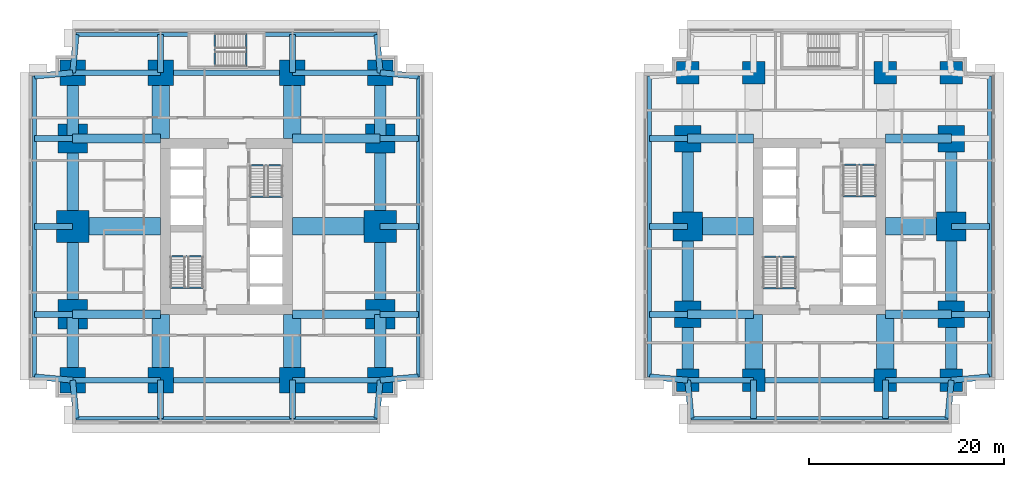
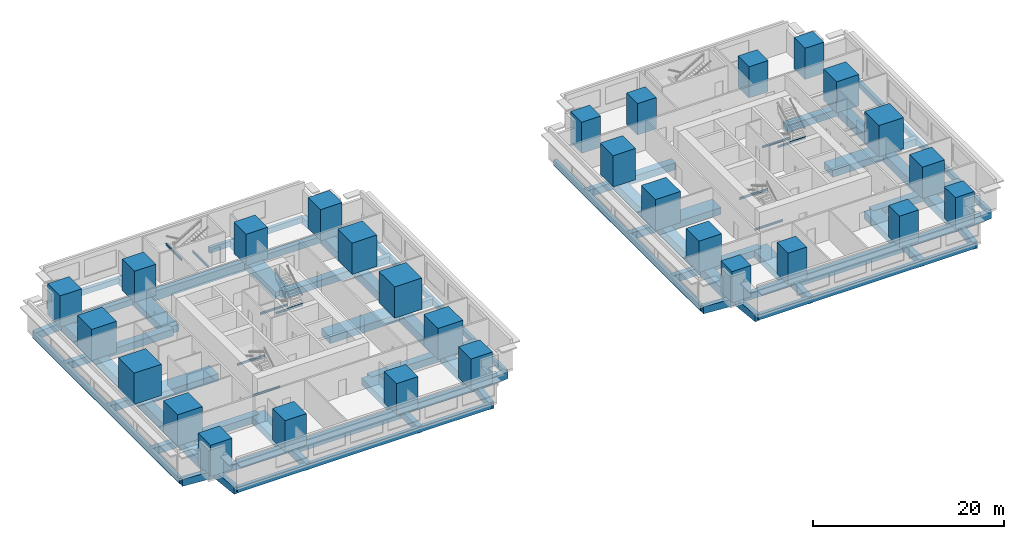
# One storey, part 1 of 11: 88 beams, 28 columns.
"""IFC4 building model written with IfcOpenShell, lengths in metres."""

from ifc_helpers import new_model, si_unit, direction, frame, origin, origin_2d, place, context, subcontext, project, spatial, rectangle, i_section, extrude, material, material_profile, profile_set, type_object, element, save


model = new_model("IFC4")

# Units and contexts
model_context = context("Model", 3, precision=1e-05, world=origin(), true_north=direction((0.0, 1.0)))
body_context = subcontext(model_context, "Body", "Model", "MODEL_VIEW")
ifc_project = project(units=[si_unit("LENGTHUNIT", "METRE"), si_unit("AREAUNIT", "SQUARE_METRE"), si_unit("VOLUMEUNIT", "CUBIC_METRE"), si_unit("PLANEANGLEUNIT", "RADIAN"), si_unit("MASSUNIT", "GRAM", prefix="KILO")], contexts=[model_context])

# Site, building, storey
site_placement = place(None, origin())
site = spatial("IfcSite", under=ifc_project, at=site_placement, CompositionType="ELEMENT")
building_placement = place(site_placement, origin())
building = spatial("IfcBuilding", under=site, at=building_placement, Name="Namib Vertical Campus", CompositionType="ELEMENT")
storey_placement = place(building_placement, frame((0.0, 0.0, 41.0)))
storey = spatial("IfcBuildingStorey", under=building, at=storey_placement, Name="L09", CompositionType="ELEMENT", Elevation=41.0)

# Columns
ifc_material_1 = material(Name="Concrete C60/75", Category="concrete")
ifc_material_profile_1 = material_profile(ifc_material_1, rectangle(XDim=2.300048828125, YDim=2.300048828125, at=origin_2d()))
ifc_profile_set_1 = profile_set([ifc_material_profile_1], Name="Concrete C60/75")
column_type_1 = type_object("IfcColumnType", Name="Column RC 2300x2300", PredefinedType="COLUMN", material=ifc_profile_set_1)
for number, where, z_axis, x_axis, name in (
    (1, (67.5, 4.5, 0.0), (0.0, 0.0, 1.0), (1.0, 0.0, 0.0), "Column C230 L09"),
    (2, (74.25, 4.5, 0.0), (0.0, 0.0, 1.0), (1.0, 0.0, 0.0), "Column C230 L09"),
    (3, (87.75, 4.5, 0.0), (0.0, 0.0, 1.0), (1.0, 0.0, 0.0), "Column C230 L09"),
    (4, (94.5, 4.5, 0.0), (0.0, 0.0, 1.0), (1.0, 0.0, 0.0), "Column C230 L09"),
    (5, (67.5, 36.0, 0.0), (0.0, 0.0, 1.0), (1.0, 0.0, 0.0), "Column C230 L09"),
    (6, (74.25, 36.0, 0.0), (0.0, 0.0, 1.0), (1.0, 0.0, 0.0), "Column C230 L09"),
    (7, (87.75, 36.0, 0.0), (0.0, 0.0, 1.0), (1.0, 0.0, 0.0), "Column C230 L09"),
    (8, (94.5, 36.0, 0.0), (0.0, 0.0, 1.0), (1.0, 0.0, 0.0), "Column C230 L09"),
):
    element("IfcColumn", number, at=place(storey_placement, frame(where, z_axis=z_axis, x_axis=x_axis)), inside=storey, type_object=column_type_1, Name=name, PredefinedType="COLUMN", context=body_context, shape_type="SweptSolid", body=[
        extrude(rectangle(XDim=2.300048828125, YDim=2.300048828125, at=origin_2d()), origin(), (0.0, 0.0, 1.0), 4.0),
    ])
ifc_material_2 = material(Name="Concrete C60/75", Category="concrete")
ifc_material_profile_2 = material_profile(ifc_material_2, rectangle(XDim=2.60009765625, YDim=2.60009765625, at=origin_2d()))
ifc_profile_set_2 = profile_set([ifc_material_profile_2], Name="Concrete C60/75")
column_type_2 = type_object("IfcColumnType", Name="Column RC 2600x2600", PredefinedType="COLUMN", material=ifc_profile_set_2)
for number, where, z_axis, x_axis, name in (
    (9, (4.5, 4.5, 0.0), (0.0, 0.0, 1.0), (1.0, 0.0, 0.0), "Column C260 L09"),
    (10, (13.5, 4.5, 0.0), (0.0, 0.0, 1.0), (1.0, 0.0, 0.0), "Column C260 L09"),
    (11, (27.0, 4.5, 0.0), (0.0, 0.0, 1.0), (1.0, 0.0, 0.0), "Column C260 L09"),
    (12, (36.0, 4.5, 0.0), (0.0, 0.0, 1.0), (1.0, 0.0, 0.0), "Column C260 L09"),
    (13, (4.5, 36.0, 0.0), (0.0, 0.0, 1.0), (1.0, 0.0, 0.0), "Column C260 L09"),
    (14, (13.5, 36.0, 0.0), (0.0, 0.0, 1.0), (1.0, 0.0, 0.0), "Column C260 L09"),
    (15, (27.0, 36.0, 0.0), (0.0, 0.0, 1.0), (1.0, 0.0, 0.0), "Column C260 L09"),
    (16, (36.0, 36.0, 0.0), (0.0, 0.0, 1.0), (1.0, 0.0, 0.0), "Column C260 L09"),
):
    element("IfcColumn", number, at=place(storey_placement, frame(where, z_axis=z_axis, x_axis=x_axis)), inside=storey, type_object=column_type_2, Name=name, PredefinedType="COLUMN", context=body_context, shape_type="SweptSolid", body=[
        extrude(rectangle(XDim=2.60009765625, YDim=2.60009765625, at=origin_2d()), origin(), (0.0, 0.0, 1.0), 4.0),
    ])
ifc_material_3 = material(Name="Concrete C60/75", Category="concrete")
ifc_material_profile_3 = material_profile(ifc_material_3, rectangle(XDim=2.699951171875, YDim=2.699951171875, at=origin_2d()))
ifc_profile_set_3 = profile_set([ifc_material_profile_3], Name="Concrete C60/75")
column_type_3 = type_object("IfcColumnType", Name="Column RC 2700x2700", PredefinedType="COLUMN", material=ifc_profile_set_3)
for number, where, z_axis, x_axis, name in (
    (17, (67.5, 11.25, 0.0), (0.0, 0.0, 1.0), (1.0, 0.0, 0.0), "Column C270 L09"),
    (18, (94.5, 11.25, 0.0), (0.0, 0.0, 1.0), (1.0, 0.0, 0.0), "Column C270 L09"),
    (19, (67.5, 29.25, 0.0), (0.0, 0.0, 1.0), (1.0, 0.0, 0.0), "Column C270 L09"),
    (20, (94.5, 29.25, 0.0), (0.0, 0.0, 1.0), (1.0, 0.0, 0.0), "Column C270 L09"),
):
    element("IfcColumn", number, at=place(storey_placement, frame(where, z_axis=z_axis, x_axis=x_axis)), inside=storey, type_object=column_type_3, Name=name, PredefinedType="COLUMN", context=body_context, shape_type="SweptSolid", body=[
        extrude(rectangle(XDim=2.699951171875, YDim=2.699951171875, at=origin_2d()), origin(), (0.0, 0.0, 1.0), 4.0),
    ])
ifc_material_4 = material(Name="Concrete C60/75", Category="concrete")
ifc_material_profile_4 = material_profile(ifc_material_4, rectangle(XDim=3.0, YDim=3.0, at=origin_2d()))
ifc_profile_set_4 = profile_set([ifc_material_profile_4], Name="Concrete C60/75")
column_type_4 = type_object("IfcColumnType", Name="Column RC 3000x3000", PredefinedType="COLUMN", material=ifc_profile_set_4)
for number, where, z_axis, x_axis, name in (
    (21, (4.5, 11.25, 0.0), (0.0, 0.0, 1.0), (1.0, 0.0, 0.0), "Column C300 L09"),
    (22, (36.0, 11.25, 0.0), (0.0, 0.0, 1.0), (1.0, 0.0, 0.0), "Column C300 L09"),
    (23, (4.5, 29.25, 0.0), (0.0, 0.0, 1.0), (1.0, 0.0, 0.0), "Column C300 L09"),
    (24, (36.0, 29.25, 0.0), (0.0, 0.0, 1.0), (1.0, 0.0, 0.0), "Column C300 L09"),
    (25, (67.5, 20.25, 0.0), (0.0, 0.0, 1.0), (1.0, 0.0, 0.0), "Column C300 L09"),
    (26, (94.5, 20.25, 0.0), (0.0, 0.0, 1.0), (1.0, 0.0, 0.0), "Column C300 L09"),
):
    element("IfcColumn", number, at=place(storey_placement, frame(where, z_axis=z_axis, x_axis=x_axis)), inside=storey, type_object=column_type_4, Name=name, PredefinedType="COLUMN", context=body_context, shape_type="SweptSolid", body=[
        extrude(rectangle(XDim=3.0, YDim=3.0, at=origin_2d()), origin(), (0.0, 0.0, 1.0), 4.0),
    ])
ifc_material_5 = material(Name="Concrete C60/75", Category="concrete")
ifc_material_profile_5 = material_profile(ifc_material_5, rectangle(XDim=3.300048828125, YDim=3.300048828125, at=origin_2d()))
ifc_profile_set_5 = profile_set([ifc_material_profile_5], Name="Concrete C60/75")
column_type_5 = type_object("IfcColumnType", Name="Column RC 3300x3300", PredefinedType="COLUMN", material=ifc_profile_set_5)
for number, where, z_axis, x_axis, name in (
    (27, (4.5, 20.25, 0.0), (0.0, 0.0, 1.0), (1.0, 0.0, 0.0), "Column C330 L09"),
    (28, (36.0, 20.25, 0.0), (0.0, 0.0, 1.0), (1.0, 0.0, 0.0), "Column C330 L09"),
):
    element("IfcColumn", number, at=place(storey_placement, frame(where, z_axis=z_axis, x_axis=x_axis)), inside=storey, type_object=column_type_5, Name=name, PredefinedType="COLUMN", context=body_context, shape_type="SweptSolid", body=[
        extrude(rectangle(XDim=3.300048828125, YDim=3.300048828125, at=origin_2d()), origin(), (0.0, 0.0, 1.0), 4.0),
    ])

# Beams
ifc_material_6 = material(Name="Concrete C40/50", Category="concrete")
ifc_material_profile_6 = material_profile(ifc_material_6, rectangle(XDim=0.60009765625, YDim=0.89990234375, at=origin_2d()))
ifc_profile_set_6 = profile_set([ifc_material_profile_6], Name="Concrete C40/50")
beam_type_1 = type_object("IfcBeamType", Name="Cantilever girder RC 600x900", PredefinedType="BEAM", material=ifc_profile_set_6)
beam_1_placement = place(storey_placement, frame((4.5, 4.5, -0.699951171875), z_axis=(0.089411326146, -0.995994786511, 0.0), x_axis=(0.995994786511, 0.089411326146, 0.0)))
element("IfcBeam", 29, at=beam_1_placement, inside=storey, type_object=beam_type_1, Name="Beam B3 L09", PredefinedType="BEAM", context=body_context, shape_type="SweptSolid", body=[
    extrude(rectangle(XDim=0.60009765625, YDim=0.89990234375, at=origin_2d()), origin(), (0.0, 0.0, 1.0), 3.91552734375),
])
for number, where, z_axis, x_axis, name in (
    (30, (13.5, 4.5, -0.699951171875), (0.0, -1.0, 0.0), (1.0, 0.0, 0.0), "Beam B3 L09"),
    (31, (27.0, 4.5, -0.699951171875), (0.0, -1.0, 0.0), (1.0, 0.0, 0.0), "Beam B3 L09"),
):
    element("IfcBeam", number, at=place(storey_placement, frame(where, z_axis=z_axis, x_axis=x_axis)), inside=storey, type_object=beam_type_1, Name=name, PredefinedType="BEAM", context=body_context, shape_type="SweptSolid", body=[
        extrude(rectangle(XDim=0.60009765625, YDim=0.89990234375, at=origin_2d()), origin(), (0.0, 0.0, 1.0), 3.89990234375),
    ])
for number, where, z_axis, x_axis, name in (
    (32, (36.0, 4.5, -0.699951171875), (-0.089411326146, -0.995994786511, 0.0), (0.995994786511, -0.089411326146, 0.0), "Beam B3 L09"),
    (33, (4.5, 36.0, -0.699951171875), (0.089411326146, 0.995994786511, 0.0), (-0.995994786511, 0.089411326146, 0.0), "Beam B3 L09"),
):
    element("IfcBeam", number, at=place(storey_placement, frame(where, z_axis=z_axis, x_axis=x_axis)), inside=storey, type_object=beam_type_1, Name=name, PredefinedType="BEAM", context=body_context, shape_type="SweptSolid", body=[
        extrude(rectangle(XDim=0.60009765625, YDim=0.89990234375, at=origin_2d()), origin(), (0.0, 0.0, 1.0), 3.91552734375),
    ])
for number, where, z_axis, x_axis, name in (
    (34, (13.5, 36.0, -0.699951171875), (0.0, 1.0, 0.0), (-1.0, 0.0, 0.0), "Beam B3 L09"),
    (35, (27.0, 36.0, -0.699951171875), (0.0, 1.0, 0.0), (-1.0, 0.0, 0.0), "Beam B3 L09"),
):
    element("IfcBeam", number, at=place(storey_placement, frame(where, z_axis=z_axis, x_axis=x_axis)), inside=storey, type_object=beam_type_1, Name=name, PredefinedType="BEAM", context=body_context, shape_type="SweptSolid", body=[
        extrude(rectangle(XDim=0.60009765625, YDim=0.89990234375, at=origin_2d()), origin(), (0.0, 0.0, 1.0), 3.89990234375),
    ])
for number, where, z_axis, x_axis, name in (
    (36, (36.0, 36.0, -0.699951171875), (-0.089411326146, 0.995994786511, 0.0), (-0.995994786511, -0.089411326146, 0.0), "Beam B3 L09"),
    (37, (4.5, 4.5, -0.699951171875), (-0.995994786511, 0.089411326146, 0.0), (-0.089411326146, -0.995994786511, 0.0), "Beam B3 L09"),
):
    element("IfcBeam", number, at=place(storey_placement, frame(where, z_axis=z_axis, x_axis=x_axis)), inside=storey, type_object=beam_type_1, Name=name, PredefinedType="BEAM", context=body_context, shape_type="SweptSolid", body=[
        extrude(rectangle(XDim=0.60009765625, YDim=0.89990234375, at=origin_2d()), origin(), (0.0, 0.0, 1.0), 3.91552734375),
    ])
for number, where, z_axis, x_axis, name in (
    (38, (4.5, 11.25, -0.699951171875), (-1.0, 0.0, 0.0), (0.0, -1.0, 0.0), "Beam B3 L09"),
    (39, (4.5, 20.25, -0.699951171875), (-1.0, 0.0, 0.0), (0.0, -1.0, 0.0), "Beam B3 L09"),
    (40, (4.5, 29.25, -0.699951171875), (-1.0, 0.0, 0.0), (0.0, -1.0, 0.0), "Beam B3 L09"),
):
    element("IfcBeam", number, at=place(storey_placement, frame(where, z_axis=z_axis, x_axis=x_axis)), inside=storey, type_object=beam_type_1, Name=name, PredefinedType="BEAM", context=body_context, shape_type="SweptSolid", body=[
        extrude(rectangle(XDim=0.60009765625, YDim=0.89990234375, at=origin_2d()), origin(), (0.0, 0.0, 1.0), 3.89990234375),
    ])
for number, where, z_axis, x_axis, name in (
    (41, (4.5, 36.0, -0.699951171875), (-0.995994786511, -0.089411326146, 0.0), (0.089411326146, -0.995994786511, 0.0), "Beam B3 L09"),
    (42, (36.0, 4.5, -0.699951171875), (0.995994786511, 0.089411326146, 0.0), (-0.089411326146, 0.995994786511, 0.0), "Beam B3 L09"),
):
    element("IfcBeam", number, at=place(storey_placement, frame(where, z_axis=z_axis, x_axis=x_axis)), inside=storey, type_object=beam_type_1, Name=name, PredefinedType="BEAM", context=body_context, shape_type="SweptSolid", body=[
        extrude(rectangle(XDim=0.60009765625, YDim=0.89990234375, at=origin_2d()), origin(), (0.0, 0.0, 1.0), 3.91552734375),
    ])
for number, where, z_axis, x_axis, name in (
    (43, (36.0, 11.25, -0.699951171875), (1.0, 0.0, 0.0), (0.0, 1.0, 0.0), "Beam B3 L09"),
    (44, (36.0, 20.25, -0.699951171875), (1.0, 0.0, 0.0), (0.0, 1.0, 0.0), "Beam B3 L09"),
    (45, (36.0, 29.25, -0.699951171875), (1.0, 0.0, 0.0), (0.0, 1.0, 0.0), "Beam B3 L09"),
):
    element("IfcBeam", number, at=place(storey_placement, frame(where, z_axis=z_axis, x_axis=x_axis)), inside=storey, type_object=beam_type_1, Name=name, PredefinedType="BEAM", context=body_context, shape_type="SweptSolid", body=[
        extrude(rectangle(XDim=0.60009765625, YDim=0.89990234375, at=origin_2d()), origin(), (0.0, 0.0, 1.0), 3.89990234375),
    ])
for number, where, z_axis, x_axis, name in (
    (46, (36.0, 36.0, -0.699951171875), (0.995994786511, -0.089411326146, 0.0), (0.089411326146, 0.995994786511, 0.0), "Beam B3 L09"),
    (47, (67.5, 4.5, -0.699951171875), (0.089411326146, -0.995994786511, 0.0), (0.995994786511, 0.089411326146, 0.0), "Beam B3 L09"),
):
    element("IfcBeam", number, at=place(storey_placement, frame(where, z_axis=z_axis, x_axis=x_axis)), inside=storey, type_object=beam_type_1, Name=name, PredefinedType="BEAM", context=body_context, shape_type="SweptSolid", body=[
        extrude(rectangle(XDim=0.60009765625, YDim=0.89990234375, at=origin_2d()), origin(), (0.0, 0.0, 1.0), 3.91552734375),
    ])
for number, where, z_axis, x_axis, name in (
    (48, (74.25, 4.5, -0.699951171875), (0.0, -1.0, 0.0), (1.0, 0.0, 0.0), "Beam B3 L09"),
    (49, (87.75, 4.5, -0.699951171875), (0.0, -1.0, 0.0), (1.0, 0.0, 0.0), "Beam B3 L09"),
):
    element("IfcBeam", number, at=place(storey_placement, frame(where, z_axis=z_axis, x_axis=x_axis)), inside=storey, type_object=beam_type_1, Name=name, PredefinedType="BEAM", context=body_context, shape_type="SweptSolid", body=[
        extrude(rectangle(XDim=0.60009765625, YDim=0.89990234375, at=origin_2d()), origin(), (0.0, 0.0, 1.0), 3.89990234375),
    ])
for number, where, z_axis, x_axis, name in (
    (50, (94.5, 4.5, -0.699951171875), (-0.089411326146, -0.995994786511, 0.0), (0.995994786511, -0.089411326146, 0.0), "Beam B3 L09"),
    (51, (67.5, 4.5, -0.699951171875), (-0.995994786511, 0.089411326146, 0.0), (-0.089411326146, -0.995994786511, 0.0), "Beam B3 L09"),
):
    element("IfcBeam", number, at=place(storey_placement, frame(where, z_axis=z_axis, x_axis=x_axis)), inside=storey, type_object=beam_type_1, Name=name, PredefinedType="BEAM", context=body_context, shape_type="SweptSolid", body=[
        extrude(rectangle(XDim=0.60009765625, YDim=0.89990234375, at=origin_2d()), origin(), (0.0, 0.0, 1.0), 3.91552734375),
    ])
for number, where, z_axis, x_axis, name in (
    (52, (67.5, 11.25, -0.699951171875), (-1.0, 0.0, 0.0), (0.0, -1.0, 0.0), "Beam B3 L09"),
    (53, (67.5, 20.25, -0.699951171875), (-1.0, 0.0, 0.0), (0.0, -1.0, 0.0), "Beam B3 L09"),
    (54, (67.5, 29.25, -0.699951171875), (-1.0, 0.0, 0.0), (0.0, -1.0, 0.0), "Beam B3 L09"),
):
    element("IfcBeam", number, at=place(storey_placement, frame(where, z_axis=z_axis, x_axis=x_axis)), inside=storey, type_object=beam_type_1, Name=name, PredefinedType="BEAM", context=body_context, shape_type="SweptSolid", body=[
        extrude(rectangle(XDim=0.60009765625, YDim=0.89990234375, at=origin_2d()), origin(), (0.0, 0.0, 1.0), 3.89990234375),
    ])
beam_2_placement = place(storey_placement, frame((94.5, 4.5, -0.699951171875), z_axis=(0.995994786511, 0.089411326146, 0.0), x_axis=(-0.089411326146, 0.995994786511, 0.0)))
element("IfcBeam", 55, at=beam_2_placement, inside=storey, type_object=beam_type_1, Name="Beam B3 L09", PredefinedType="BEAM", context=body_context, shape_type="SweptSolid", body=[
    extrude(rectangle(XDim=0.60009765625, YDim=0.89990234375, at=origin_2d()), origin(), (0.0, 0.0, 1.0), 3.91552734375),
])
for number, where, z_axis, x_axis, name in (
    (56, (94.5, 11.25, -0.699951171875), (1.0, 0.0, 0.0), (0.0, 1.0, 0.0), "Beam B3 L09"),
    (57, (94.5, 20.25, -0.699951171875), (1.0, 0.0, 0.0), (0.0, 1.0, 0.0), "Beam B3 L09"),
):
    element("IfcBeam", number, at=place(storey_placement, frame(where, z_axis=z_axis, x_axis=x_axis)), inside=storey, type_object=beam_type_1, Name=name, PredefinedType="BEAM", context=body_context, shape_type="SweptSolid", body=[
        extrude(rectangle(XDim=0.60009765625, YDim=0.89990234375, at=origin_2d()), origin(), (0.0, 0.0, 1.0), 3.89990234375),
    ])
ifc_material_7 = material(Name="Concrete C40/50", Category="concrete")
ifc_material_profile_7 = material_profile(ifc_material_7, rectangle(XDim=0.39990234375, YDim=0.699951171875, at=origin_2d()))
ifc_profile_set_7 = profile_set([ifc_material_profile_7], Name="Concrete C40/50")
beam_type_2 = type_object("IfcBeamType", Name="Edge beam RC 400x700", PredefinedType="SPANDREL", material=ifc_profile_set_7)
beam_3_placement = place(storey_placement, frame((4.85009765625, 0.60009765625, -0.60009765625), z_axis=(1.0, 0.0, 0.0), x_axis=(0.0, 1.0, 0.0)))
element("IfcBeam", 58, at=beam_3_placement, inside=storey, type_object=beam_type_2, Name="Beam B4 L09", PredefinedType="SPANDREL", context=body_context, shape_type="SweptSolid", body=[
    extrude(rectangle(XDim=0.39990234375, YDim=0.699951171875, at=origin_2d()), origin(), (0.0, 0.0, 1.0), 30.7998046875),
])
for number, where, z_axis, x_axis, name in (
    (59, (4.85009765625, 39.89990234375, -0.60009765625), (1.0, 0.0, 0.0), (0.0, 1.0, 0.0), "Beam B4 L09"),
    (60, (24.199951171875, 39.89990234375, -0.60009765625), (1.0, 0.0, 0.0), (0.0, 1.0, 0.0), "Beam B4 L09"),
):
    element("IfcBeam", number, at=place(storey_placement, frame(where, z_axis=z_axis, x_axis=x_axis)), inside=storey, type_object=beam_type_2, Name=name, PredefinedType="SPANDREL", context=body_context, shape_type="SweptSolid", body=[
        extrude(rectangle(XDim=0.39990234375, YDim=0.699951171875, at=origin_2d()), origin(), (0.0, 0.0, 1.0), 11.449951171875),
    ])
for number, where, z_axis, x_axis, name in (
    (61, (0.60009765625, 4.85009765625, -0.60009765625), (0.0, 1.0, 0.0), (-1.0, 0.0, 0.0), "Beam B4 L09"),
    (62, (39.89990234375, 4.85009765625, -0.60009765625), (0.0, 1.0, 0.0), (-1.0, 0.0, 0.0), "Beam B4 L09"),
):
    element("IfcBeam", number, at=place(storey_placement, frame(where, z_axis=z_axis, x_axis=x_axis)), inside=storey, type_object=beam_type_2, Name=name, PredefinedType="SPANDREL", context=body_context, shape_type="SweptSolid", body=[
        extrude(rectangle(XDim=0.39990234375, YDim=0.699951171875, at=origin_2d()), origin(), (0.0, 0.0, 1.0), 30.7998046875),
    ])
beam_4_placement = place(storey_placement, frame((67.85009765625, 0.60009765625, -0.60009765625), z_axis=(1.0, 0.0, 0.0), x_axis=(0.0, 1.0, 0.0)))
element("IfcBeam", 63, at=beam_4_placement, inside=storey, type_object=beam_type_2, Name="Beam B4 L09", PredefinedType="SPANDREL", context=body_context, shape_type="SweptSolid", body=[
    extrude(rectangle(XDim=0.39990234375, YDim=0.699951171875, at=origin_2d()), origin(), (0.0, 0.0, 1.0), 26.2998046875),
])
for number, where, z_axis, x_axis, name in (
    (64, (63.60009765625, 4.85009765625, -0.60009765625), (0.0, 1.0, 0.0), (-1.0, 0.0, 0.0), "Beam B4 L09"),
    (65, (98.39990234375, 4.85009765625, -0.60009765625), (0.0, 1.0, 0.0), (-1.0, 0.0, 0.0), "Beam B4 L09"),
):
    element("IfcBeam", number, at=place(storey_placement, frame(where, z_axis=z_axis, x_axis=x_axis)), inside=storey, type_object=beam_type_2, Name=name, PredefinedType="SPANDREL", context=body_context, shape_type="SweptSolid", body=[
        extrude(rectangle(XDim=0.39990234375, YDim=0.699951171875, at=origin_2d()), origin(), (0.0, 0.0, 1.0), 30.7998046875),
    ])
ifc_material_8 = material(Name="Concrete C40/50", Category="concrete")
ifc_material_profile_8 = material_profile(ifc_material_8, rectangle(XDim=0.89990234375, YDim=0.89990234375, at=origin_2d()))
ifc_profile_set_8 = profile_set([ifc_material_profile_8], Name="Concrete C40/50")
beam_type_3 = type_object("IfcBeamType", Name="Face girder RC 900x900", PredefinedType="BEAM", material=ifc_profile_set_8)
for number, where, z_axis, x_axis, name in (
    (66, (4.5, 11.25, -0.699951171875), (1.0, 0.0, 0.0), (0.0, 1.0, 0.0), "Beam B10 L09"),
    (67, (36.0, 11.25, -0.699951171875), (-1.0, 0.0, 0.0), (0.0, -1.0, 0.0), "Beam B10 L09"),
    (68, (4.5, 29.25, -0.699951171875), (1.0, 0.0, 0.0), (0.0, 1.0, 0.0), "Beam B10 L09"),
    (69, (36.0, 29.25, -0.699951171875), (-1.0, 0.0, 0.0), (0.0, -1.0, 0.0), "Beam B10 L09"),
):
    element("IfcBeam", number, at=place(storey_placement, frame(where, z_axis=z_axis, x_axis=x_axis)), inside=storey, type_object=beam_type_3, Name=name, PredefinedType="BEAM", context=body_context, shape_type="SweptSolid", body=[
        extrude(rectangle(XDim=0.89990234375, YDim=0.89990234375, at=origin_2d()), origin(), (0.0, 0.0, 1.0), 9.0),
    ])
for number, where, z_axis, x_axis, name in (
    (70, (67.5, 11.25, -0.699951171875), (1.0, 0.0, 0.0), (0.0, 1.0, 0.0), "Beam B10 L09"),
    (71, (94.5, 11.25, -0.699951171875), (-1.0, 0.0, 0.0), (0.0, -1.0, 0.0), "Beam B10 L09"),
    (72, (67.5, 29.25, -0.699951171875), (1.0, 0.0, 0.0), (0.0, 1.0, 0.0), "Beam B10 L09"),
    (73, (94.5, 29.25, -0.699951171875), (-1.0, 0.0, 0.0), (0.0, -1.0, 0.0), "Beam B10 L09"),
):
    element("IfcBeam", number, at=place(storey_placement, frame(where, z_axis=z_axis, x_axis=x_axis)), inside=storey, type_object=beam_type_3, Name=name, PredefinedType="BEAM", context=body_context, shape_type="SweptSolid", body=[
        extrude(rectangle(XDim=0.89990234375, YDim=0.89990234375, at=origin_2d()), origin(), (0.0, 0.0, 1.0), 6.75),
    ])
ifc_material_9 = material(Name="Concrete C40/50", Category="concrete")
ifc_material_profile_9 = material_profile(ifc_material_9, rectangle(XDim=1.199951171875, YDim=1.10009765625, at=origin_2d()))
ifc_profile_set_9 = profile_set([ifc_material_profile_9], Name="Concrete C40/50")
beam_type_4 = type_object("IfcBeamType", Name="Face ring beam RC 1200x1100", PredefinedType="BEAM", material=ifc_profile_set_9)
beam_5_placement = place(storey_placement, frame((4.5, 4.5, -0.800048828125), z_axis=(0.0, 1.0, 0.0), x_axis=(-1.0, 0.0, 0.0)))
element("IfcBeam", 74, at=beam_5_placement, inside=storey, type_object=beam_type_4, Name="Beam B11 L09", PredefinedType="BEAM", context=body_context, shape_type="SweptSolid", body=[
    extrude(rectangle(XDim=1.199951171875, YDim=1.10009765625, at=origin_2d()), origin(), (0.0, 0.0, 1.0), 6.75),
])
for number, where, z_axis, x_axis, name in (
    (75, (4.5, 11.25, -0.800048828125), (0.0, 1.0, 0.0), (-1.0, 0.0, 0.0), "Beam B11 L09"),
    (76, (4.5, 20.25, -0.800048828125), (0.0, 1.0, 0.0), (-1.0, 0.0, 0.0), "Beam B11 L09"),
):
    element("IfcBeam", number, at=place(storey_placement, frame(where, z_axis=z_axis, x_axis=x_axis)), inside=storey, type_object=beam_type_4, Name=name, PredefinedType="BEAM", context=body_context, shape_type="SweptSolid", body=[
        extrude(rectangle(XDim=1.199951171875, YDim=1.10009765625, at=origin_2d()), origin(), (0.0, 0.0, 1.0), 9.0),
    ])
for number, where, z_axis, x_axis, name in (
    (77, (4.5, 29.25, -0.800048828125), (0.0, 1.0, 0.0), (-1.0, 0.0, 0.0), "Beam B11 L09"),
    (78, (36.0, 4.5, -0.800048828125), (0.0, 1.0, 0.0), (-1.0, 0.0, 0.0), "Beam B11 L09"),
):
    element("IfcBeam", number, at=place(storey_placement, frame(where, z_axis=z_axis, x_axis=x_axis)), inside=storey, type_object=beam_type_4, Name=name, PredefinedType="BEAM", context=body_context, shape_type="SweptSolid", body=[
        extrude(rectangle(XDim=1.199951171875, YDim=1.10009765625, at=origin_2d()), origin(), (0.0, 0.0, 1.0), 6.75),
    ])
for number, where, z_axis, x_axis, name in (
    (79, (36.0, 11.25, -0.800048828125), (0.0, 1.0, 0.0), (-1.0, 0.0, 0.0), "Beam B11 L09"),
    (80, (36.0, 20.25, -0.800048828125), (0.0, 1.0, 0.0), (-1.0, 0.0, 0.0), "Beam B11 L09"),
):
    element("IfcBeam", number, at=place(storey_placement, frame(where, z_axis=z_axis, x_axis=x_axis)), inside=storey, type_object=beam_type_4, Name=name, PredefinedType="BEAM", context=body_context, shape_type="SweptSolid", body=[
        extrude(rectangle(XDim=1.199951171875, YDim=1.10009765625, at=origin_2d()), origin(), (0.0, 0.0, 1.0), 9.0),
    ])
for number, where, z_axis, x_axis, name in (
    (81, (36.0, 29.25, -0.800048828125), (0.0, 1.0, 0.0), (-1.0, 0.0, 0.0), "Beam B11 L09"),
    (82, (67.5, 4.5, -0.800048828125), (0.0, 1.0, 0.0), (-1.0, 0.0, 0.0), "Beam B11 L09"),
):
    element("IfcBeam", number, at=place(storey_placement, frame(where, z_axis=z_axis, x_axis=x_axis)), inside=storey, type_object=beam_type_4, Name=name, PredefinedType="BEAM", context=body_context, shape_type="SweptSolid", body=[
        extrude(rectangle(XDim=1.199951171875, YDim=1.10009765625, at=origin_2d()), origin(), (0.0, 0.0, 1.0), 6.75),
    ])
for number, where, z_axis, x_axis, name in (
    (83, (67.5, 11.25, -0.800048828125), (0.0, 1.0, 0.0), (-1.0, 0.0, 0.0), "Beam B11 L09"),
    (84, (67.5, 20.25, -0.800048828125), (0.0, 1.0, 0.0), (-1.0, 0.0, 0.0), "Beam B11 L09"),
):
    element("IfcBeam", number, at=place(storey_placement, frame(where, z_axis=z_axis, x_axis=x_axis)), inside=storey, type_object=beam_type_4, Name=name, PredefinedType="BEAM", context=body_context, shape_type="SweptSolid", body=[
        extrude(rectangle(XDim=1.199951171875, YDim=1.10009765625, at=origin_2d()), origin(), (0.0, 0.0, 1.0), 9.0),
    ])
beam_6_placement = place(storey_placement, frame((94.5, 4.5, -0.800048828125), z_axis=(0.0, 1.0, 0.0), x_axis=(-1.0, 0.0, 0.0)))
element("IfcBeam", 85, at=beam_6_placement, inside=storey, type_object=beam_type_4, Name="Beam B11 L09", PredefinedType="BEAM", context=body_context, shape_type="SweptSolid", body=[
    extrude(rectangle(XDim=1.199951171875, YDim=1.10009765625, at=origin_2d()), origin(), (0.0, 0.0, 1.0), 6.75),
])
for number, where, z_axis, x_axis, name in (
    (86, (94.5, 11.25, -0.800048828125), (0.0, 1.0, 0.0), (-1.0, 0.0, 0.0), "Beam B11 L09"),
    (87, (94.5, 20.25, -0.800048828125), (0.0, 1.0, 0.0), (-1.0, 0.0, 0.0), "Beam B11 L09"),
):
    element("IfcBeam", number, at=place(storey_placement, frame(where, z_axis=z_axis, x_axis=x_axis)), inside=storey, type_object=beam_type_4, Name=name, PredefinedType="BEAM", context=body_context, shape_type="SweptSolid", body=[
        extrude(rectangle(XDim=1.199951171875, YDim=1.10009765625, at=origin_2d()), origin(), (0.0, 0.0, 1.0), 9.0),
    ])
ifc_material_10 = material(Name="Steel S355JR", Category="steel")
ifc_material_profile_10 = material_profile(ifc_material_10, i_section(OverallWidth=0.14599609375, OverallDepth=0.25146484375, WebThickness=0.006103515625, FlangeThickness=0.008544921875, FilletRadius=0.007568359375, at=origin_2d()))
ifc_profile_set_10 = profile_set([ifc_material_profile_10], Name="Steel S355JR")
beam_type_5 = type_object("IfcBeamType", Name="Landing trimmer UB 254x146x31", PredefinedType="BEAM", material=ifc_profile_set_10)
for number, where, z_axis, x_axis, name in (
    (88, (14.5, 13.97705078125, -0.125732421875), (1.0, 0.0, 0.0), (0.0, 1.0, 0.0), "Landing trimmer LT1 A-S1 L09 1"),
    (89, (14.5, 17.203125, 1.874267578125), (1.0, 0.0, 0.0), (0.0, 1.0, 0.0), "Landing trimmer LT1 A-S1 L09 2"),
    (90, (22.64990234375, 26.52294921875, -0.125732421875), (1.0, 0.0, 0.0), (0.0, 1.0, 0.0), "Landing trimmer LT1 A-S2 L09 1"),
    (91, (22.64990234375, 23.296875, 1.874267578125), (1.0, 0.0, 0.0), (0.0, 1.0, 0.0), "Landing trimmer LT1 A-S2 L09 2"),
):
    element("IfcBeam", number, at=place(storey_placement, frame(where, z_axis=z_axis, x_axis=x_axis)), inside=storey, type_object=beam_type_5, Name=name, PredefinedType="BEAM", context=body_context, shape_type="SweptSolid", body=[
        extrude(i_section(OverallWidth=0.14599609375, OverallDepth=0.25146484375, WebThickness=0.006103515625, FlangeThickness=0.008544921875, FilletRadius=0.007568359375, at=origin_2d()), origin(), (0.0, 0.0, 1.0), 3.35009765625),
    ])
for number, where, z_axis, x_axis, name in (
    (92, (75.199951171875, 13.927001953125, -0.125732421875), (1.0, 0.0, 0.0), (0.0, 1.0, 0.0), "Landing trimmer LT1 B-S1 L09 1"),
    (93, (75.199951171875, 17.153076171875, 1.874267578125), (1.0, 0.0, 0.0), (0.0, 1.0, 0.0), "Landing trimmer LT1 B-S1 L09 2"),
    (94, (83.39990234375, 26.572998046875, -0.125732421875), (1.0, 0.0, 0.0), (0.0, 1.0, 0.0), "Landing trimmer LT1 B-S2 L09 1"),
    (95, (83.39990234375, 23.346923828125, 1.874267578125), (1.0, 0.0, 0.0), (0.0, 1.0, 0.0), "Landing trimmer LT1 B-S2 L09 2"),
):
    element("IfcBeam", number, at=place(storey_placement, frame(where, z_axis=z_axis, x_axis=x_axis)), inside=storey, type_object=beam_type_5, Name=name, PredefinedType="BEAM", context=body_context, shape_type="SweptSolid", body=[
        extrude(i_section(OverallWidth=0.14599609375, OverallDepth=0.25146484375, WebThickness=0.006103515625, FlangeThickness=0.008544921875, FilletRadius=0.007568359375, at=origin_2d()), origin(), (0.0, 0.0, 1.0), 3.400146484375),
    ])
for number, where, z_axis, x_axis, name in (
    (96, (22.27294921875, 36.64990234375, -0.125732421875), (0.0, 1.0, 0.0), (-1.0, 0.0, 0.0), "Landing trimmer LT1 A-S3 L09 1"),
    (97, (19.046875, 36.64990234375, 1.874267578125), (0.0, 1.0, 0.0), (-1.0, 0.0, 0.0), "Landing trimmer LT1 A-S3 L09 2"),
):
    element("IfcBeam", number, at=place(storey_placement, frame(where, z_axis=z_axis, x_axis=x_axis)), inside=storey, type_object=beam_type_5, Name=name, PredefinedType="BEAM", context=body_context, shape_type="SweptSolid", body=[
        extrude(i_section(OverallWidth=0.14599609375, OverallDepth=0.25146484375, WebThickness=0.006103515625, FlangeThickness=0.008544921875, FilletRadius=0.007568359375, at=origin_2d()), origin(), (0.0, 0.0, 1.0), 3.35009765625),
    ])
ifc_material_11 = material(Name="Concrete C40/50", Category="concrete")
ifc_material_profile_11 = material_profile(ifc_material_11, rectangle(XDim=0.60009765625, YDim=1.199951171875, at=origin_2d()))
ifc_profile_set_11 = profile_set([ifc_material_profile_11], Name="Concrete C40/50")
beam_type_6 = type_object("IfcBeamType", Name="Long-span ring beam RC 600x1200", PredefinedType="BEAM", material=ifc_profile_set_11)
for number, where, z_axis, x_axis, name in (
    (98, (13.5, 4.5, -0.85009765625), (1.0, 0.0, 0.0), (0.0, 1.0, 0.0), "Beam B9 L09"),
    (99, (13.5, 36.0, -0.85009765625), (1.0, 0.0, 0.0), (0.0, 1.0, 0.0), "Beam B9 L09"),
    (100, (74.25, 4.5, -0.85009765625), (1.0, 0.0, 0.0), (0.0, 1.0, 0.0), "Beam B9 L09"),
):
    element("IfcBeam", number, at=place(storey_placement, frame(where, z_axis=z_axis, x_axis=x_axis)), inside=storey, type_object=beam_type_6, Name=name, PredefinedType="BEAM", context=body_context, shape_type="SweptSolid", body=[
        extrude(rectangle(XDim=0.60009765625, YDim=1.199951171875, at=origin_2d()), origin(), (0.0, 0.0, 1.0), 13.5),
    ])
ifc_material_12 = material(Name="Concrete C40/50", Category="concrete")
ifc_material_profile_12 = material_profile(ifc_material_12, rectangle(XDim=1.800048828125, YDim=0.89990234375, at=origin_2d()))
ifc_profile_set_12 = profile_set([ifc_material_profile_12], Name="Concrete C40/50")
beam_type_7 = type_object("IfcBeamType", Name="Outrigger line girder RC 1800x900", PredefinedType="BEAM", material=ifc_profile_set_12)
for number, where, z_axis, x_axis, name in (
    (101, (13.5, 4.5, -0.699951171875), (0.0, 1.0, 0.0), (-1.0, 0.0, 0.0), "Beam B12 L09"),
    (102, (13.5, 36.0, -0.699951171875), (0.0, -1.0, 0.0), (1.0, 0.0, 0.0), "Beam B12 L09"),
    (103, (27.0, 4.5, -0.699951171875), (0.0, 1.0, 0.0), (-1.0, 0.0, 0.0), "Beam B12 L09"),
    (104, (27.0, 36.0, -0.699951171875), (0.0, -1.0, 0.0), (1.0, 0.0, 0.0), "Beam B12 L09"),
):
    element("IfcBeam", number, at=place(storey_placement, frame(where, z_axis=z_axis, x_axis=x_axis)), inside=storey, type_object=beam_type_7, Name=name, PredefinedType="BEAM", context=body_context, shape_type="SweptSolid", body=[
        extrude(rectangle(XDim=1.800048828125, YDim=0.89990234375, at=origin_2d()), origin(), (0.0, 0.0, 1.0), 6.75),
    ])
for number, where, z_axis, x_axis, name in (
    (105, (4.5, 20.25, -0.699951171875), (1.0, 0.0, 0.0), (0.0, 1.0, 0.0), "Beam B12 L09"),
    (106, (36.0, 20.25, -0.699951171875), (-1.0, 0.0, 0.0), (0.0, -1.0, 0.0), "Beam B12 L09"),
):
    element("IfcBeam", number, at=place(storey_placement, frame(where, z_axis=z_axis, x_axis=x_axis)), inside=storey, type_object=beam_type_7, Name=name, PredefinedType="BEAM", context=body_context, shape_type="SweptSolid", body=[
        extrude(rectangle(XDim=1.800048828125, YDim=0.89990234375, at=origin_2d()), origin(), (0.0, 0.0, 1.0), 9.0),
    ])
for number, where, z_axis, x_axis, name in (
    (107, (74.25, 4.5, -0.699951171875), (0.0, 1.0, 0.0), (-1.0, 0.0, 0.0), "Beam B12 L09"),
    (108, (87.75, 4.5, -0.699951171875), (0.0, 1.0, 0.0), (-1.0, 0.0, 0.0), "Beam B12 L09"),
    (109, (67.5, 20.25, -0.699951171875), (1.0, 0.0, 0.0), (0.0, 1.0, 0.0), "Beam B12 L09"),
    (110, (94.5, 20.25, -0.699951171875), (-1.0, 0.0, 0.0), (0.0, -1.0, 0.0), "Beam B12 L09"),
):
    element("IfcBeam", number, at=place(storey_placement, frame(where, z_axis=z_axis, x_axis=x_axis)), inside=storey, type_object=beam_type_7, Name=name, PredefinedType="BEAM", context=body_context, shape_type="SweptSolid", body=[
        extrude(rectangle(XDim=1.800048828125, YDim=0.89990234375, at=origin_2d()), origin(), (0.0, 0.0, 1.0), 6.75),
    ])
ifc_material_13 = material(Name="Concrete C40/50", Category="concrete")
ifc_material_profile_13 = material_profile(ifc_material_13, rectangle(XDim=0.60009765625, YDim=0.800048828125, at=origin_2d()))
ifc_profile_set_13 = profile_set([ifc_material_profile_13], Name="Concrete C40/50")
beam_type_8 = type_object("IfcBeamType", Name="Ring beam RC 600x800", PredefinedType="BEAM", material=ifc_profile_set_13)
for number, where, z_axis, x_axis, name in (
    (111, (4.5, 4.5, -0.64990234375), (1.0, 0.0, 0.0), (0.0, 1.0, 0.0), "Beam B1 L09"),
    (112, (27.0, 4.5, -0.64990234375), (1.0, 0.0, 0.0), (0.0, 1.0, 0.0), "Beam B1 L09"),
    (113, (4.5, 36.0, -0.64990234375), (1.0, 0.0, 0.0), (0.0, 1.0, 0.0), "Beam B1 L09"),
    (114, (27.0, 36.0, -0.64990234375), (1.0, 0.0, 0.0), (0.0, 1.0, 0.0), "Beam B1 L09"),
):
    element("IfcBeam", number, at=place(storey_placement, frame(where, z_axis=z_axis, x_axis=x_axis)), inside=storey, type_object=beam_type_8, Name=name, PredefinedType="BEAM", context=body_context, shape_type="SweptSolid", body=[
        extrude(rectangle(XDim=0.60009765625, YDim=0.800048828125, at=origin_2d()), origin(), (0.0, 0.0, 1.0), 9.0),
    ])
for number, where, z_axis, x_axis, name in (
    (115, (67.5, 4.5, -0.64990234375), (1.0, 0.0, 0.0), (0.0, 1.0, 0.0), "Beam B1 L09"),
    (116, (87.75, 4.5, -0.64990234375), (1.0, 0.0, 0.0), (0.0, 1.0, 0.0), "Beam B1 L09"),
):
    element("IfcBeam", number, at=place(storey_placement, frame(where, z_axis=z_axis, x_axis=x_axis)), inside=storey, type_object=beam_type_8, Name=name, PredefinedType="BEAM", context=body_context, shape_type="SweptSolid", body=[
        extrude(rectangle(XDim=0.60009765625, YDim=0.800048828125, at=origin_2d()), origin(), (0.0, 0.0, 1.0), 6.75),
    ])

save(model, "model.ifc")
